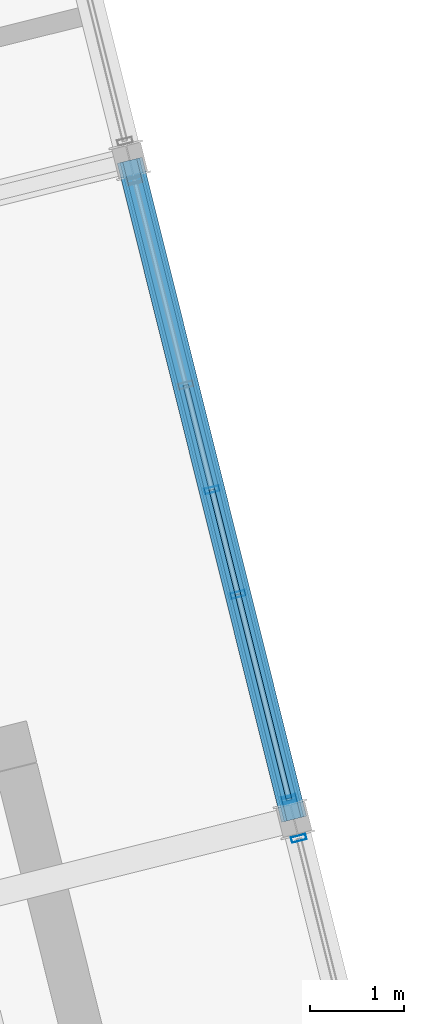
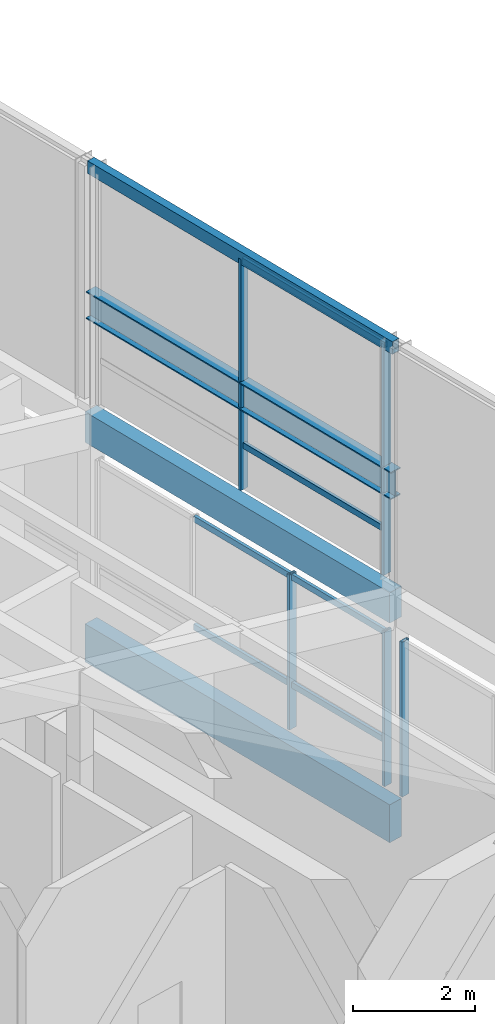
# One storey, part 19 of 31: 11 members, 4 beams, 3 elements without a shape of their own.
"""IFC4 building model written with IfcOpenShell, lengths in metres."""

import ifcopenshell
import ifcopenshell.guid

model = None  # the IFC model being written
_history = None  # IfcOwnerHistory: only IFC2X3 demands one
_inside = {}  # id of a spatial element -> (the spatial element, [elements in it])
_under = {}  # id of a project, library or spatial element -> (it, [spatial elements below it])
_declared = {}  # id of a project -> (the project, [libraries it declares])
_typed = {}  # id of a type object -> (the type object, [elements of that type])
_made_of = {}  # id of a material, layer set ... -> (it, [elements and type objects made of it])


def new_model(schema):
    """Start an empty IFC model of exactly this schema.

    Asked for "IFC4X3", IfcOpenShell would pick the latest addendum, in which some entities
    have other attributes; the version numbers below select the first issue.
    IFC2X3 requires an IfcOwnerHistory on every rooted entity: one is made here for all.
    """
    global model, _history
    if schema == "IFC4X3":
        model = ifcopenshell.file(schema_version=(4, 3, 0, 0))
    else:
        model = ifcopenshell.file(schema=schema)
    _inside.clear()
    _under.clear()
    _declared.clear()
    _typed.clear()
    _made_of.clear()
    _history = None
    if model.schema == "IFC2X3":
        org = make("IfcOrganization", Name="unknown")
        user = make(
            "IfcPersonAndOrganization",
            ThePerson=make("IfcPerson", FamilyName="unknown"),
            TheOrganization=org,
        )
        app = make(
            "IfcApplication",
            ApplicationDeveloper=org,
            Version="unknown",
            ApplicationFullName="unknown",
            ApplicationIdentifier="unknown",
        )
        _history = make(
            "IfcOwnerHistory",
            OwningUser=user,
            OwningApplication=app,
            ChangeAction="ADDED",
            CreationDate=0,
        )
    return model


def make(cls, **values):
    """One entity of the class cls with the attributes given. An attribute that is None is left unset."""
    return model.create_entity(
        cls, **{name: value for name, value in values.items() if value is not None}
    )


def rooted(cls, **values):
    """An entity with a GlobalId (a new one), such as an element, a storey or a relation."""
    return make(cls, GlobalId=ifcopenshell.guid.new(), OwnerHistory=_history, **values)


def si_unit(unit_type, name, prefix=None):
    """IfcSIUnit, for example si_unit("LENGTHUNIT", "METRE", prefix="MILLI")."""
    return make("IfcSIUnit", UnitType=unit_type, Prefix=prefix, Name=name)


def assignment(units):
    """IfcUnitAssignment: the units of a project."""
    return None if units is None else make("IfcUnitAssignment", Units=units)


def point(xyz):
    """IfcCartesianPoint."""
    return None if xyz is None else make("IfcCartesianPoint", Coordinates=xyz)


def direction(xyz):
    """IfcDirection."""
    return None if xyz is None else make("IfcDirection", DirectionRatios=xyz)


def frame(location, z_axis=None, x_axis=None):
    """IfcAxis2Placement3D, a coordinate frame: its origin and axes. An axis left out is left unset."""
    return make(
        "IfcAxis2Placement3D",
        Location=point(location),
        Axis=direction(z_axis),
        RefDirection=direction(x_axis),
    )


def frame_2d(location, x_axis=None):
    """IfcAxis2Placement2D, a coordinate frame in the plane: its origin and x axis."""
    return make(
        "IfcAxis2Placement2D", Location=point(location), RefDirection=direction(x_axis)
    )


def origin():
    """The frame at (0, 0, 0) with its axes left unset."""
    return frame((0.0, 0.0, 0.0))


def origin_2d():
    """The frame at (0, 0) in the plane with its x axis left unset."""
    return frame_2d((0.0, 0.0))


def place(relative_to, where):
    """IfcLocalPlacement: puts the frame where relative to a parent placement (None: the world)."""
    return make(
        "IfcLocalPlacement", PlacementRelTo=relative_to, RelativePlacement=where
    )


def context(
    kind, dimensions, precision=None, world=None, true_north=None, identifier=None
):
    """IfcGeometricRepresentationContext, for example the 3D "Model" context."""
    return make(
        "IfcGeometricRepresentationContext",
        ContextIdentifier=identifier,
        ContextType=kind,
        CoordinateSpaceDimension=dimensions,
        Precision=precision,
        WorldCoordinateSystem=world,
        TrueNorth=true_north,
    )


def subcontext(parent, identifier, kind, view, scale=None):
    """IfcGeometricRepresentationSubContext, for example "Body" below "Model"."""
    return make(
        "IfcGeometricRepresentationSubContext",
        ContextIdentifier=identifier,
        ContextType=kind,
        ParentContext=parent,
        TargetScale=scale,
        TargetView=view,
    )


def project(units=None, contexts=None):
    """IfcProject with its units and contexts."""
    return rooted(
        "IfcProject",
        Name="project",
        RepresentationContexts=contexts,
        UnitsInContext=assignment(units),
    )


def spatial(cls, under=None, at=None, **own):
    """A site, building, storey or space (cls), placed at a placement, below another one or the project."""
    s = rooted(cls, ObjectPlacement=at, **own)
    if under is not None:
        _under.setdefault(under.id(), (under, []))[1].append(s)
    return s


def profile(cls, at=None, kind="AREA", **sizes):
    """A parametric profile (cls). Its sizes go by their IFC names, for example OverallWidth=200.0."""
    return make(cls, ProfileType=kind, Position=at, **sizes)


def rectangle(**sizes):
    """IfcRectangleProfileDef."""
    return profile("IfcRectangleProfileDef", **sizes)


def hollow_rectangle(**sizes):
    """IfcRectangleHollowProfileDef."""
    return profile("IfcRectangleHollowProfileDef", **sizes)


def i_section(**sizes):
    """IfcIShapeProfileDef."""
    return profile("IfcIShapeProfileDef", **sizes)


def extrude(swept, where, along, depth):
    """IfcExtrudedAreaSolid: the profile swept, set in the frame where, extruded along a direction by depth."""
    return make(
        "IfcExtrudedAreaSolid",
        SweptArea=swept,
        Position=where,
        ExtrudedDirection=direction(along),
        Depth=depth,
    )


def shape(context_of_items, identifier, shape_type, items):
    """IfcShapeRepresentation: the items that make up one representation, for example the "Body"."""
    return make(
        "IfcShapeRepresentation",
        ContextOfItems=context_of_items,
        RepresentationIdentifier=identifier,
        RepresentationType=shape_type,
        Items=items,
    )


def material(Name=None, Category=None):
    """IfcMaterial."""
    return make("IfcMaterial", Name=Name, Category=Category)


def layer(
    of_material, thickness, ventilated=None, Name=None, Category=None, Priority=None
):
    """IfcMaterialLayer: one layer of a wall or slab, of a material (None: an air gap)."""
    return make(
        "IfcMaterialLayer",
        Material=of_material,
        LayerThickness=thickness,
        IsVentilated=ventilated,
        Name=Name,
        Category=Category,
        Priority=Priority,
    )


def layer_set(layers, Name=None):
    """IfcMaterialLayerSet."""
    return make("IfcMaterialLayerSet", MaterialLayers=layers, LayerSetName=Name)


def material_profile(
    of_material, cross_section, Name=None, Category=None, Priority=None
):
    """IfcMaterialProfile: a cross section and its material."""
    return make(
        "IfcMaterialProfile",
        Name=Name,
        Material=of_material,
        Profile=cross_section,
        Priority=Priority,
        Category=Category,
    )


def profile_set(profiles, Name=None, composite=None):
    """IfcMaterialProfileSet."""
    return make(
        "IfcMaterialProfileSet",
        Name=Name,
        MaterialProfiles=profiles,
        CompositeProfile=composite,
    )


def made_of(thing, what):
    """Note that an element or type object is made of a material, layer set ...; save() writes the relation."""
    if what is not None:
        _made_of.setdefault(what.id(), (what, []))[1].append(thing)
    return thing


def type_object(cls, material=None, **own):
    """A type object (cls), such as IfcWallType, which elements share."""
    return made_of(rooted(cls, **own), material)


def element(
    cls,
    number,
    at=None,
    inside=None,
    cuts=None,
    type_object=None,
    material=None,
    context=None,
    identifier="Body",
    shape_type=None,
    held_by="IfcProductDefinitionShape",
    body=None,
    shapes=None,
    **own,
):
    """One element of the class cls, such as IfcWall. Its Tag is "e" and its number.

    at: its placement. inside: the storey or other place that contains it. cuts: it is an
    opening in that element (IfcRelVoidsElement). A single representation is given by context,
    identifier, shape_type and body (its items); several are given by shapes. held_by: the class
    of the entity that holds the representations. save() writes the other relations.
    """
    e = rooted(cls, Tag="e%d" % number, ObjectPlacement=at, **own)
    if body is not None:
        shapes = [shape(context, identifier, shape_type, body)]
    if shapes is not None:
        e.Representation = make(held_by, Representations=shapes)
    if inside is not None:
        _inside.setdefault(inside.id(), (inside, []))[1].append(e)
    if cuts is not None:
        rooted(
            "IfcRelVoidsElement", RelatingBuildingElement=cuts, RelatedOpeningElement=e
        )
    if type_object is not None:
        _typed.setdefault(type_object.id(), (type_object, []))[1].append(e)
    return made_of(e, material)


def aggregate(whole, parts):
    """IfcRelAggregates: a whole, such as a stair, and the parts it consists of."""
    return rooted("IfcRelAggregates", RelatingObject=whole, RelatedObjects=parts)


def save(model, path):
    """Write the relations noted so far, then the file.

    IfcRelAggregates (storeys below a building ...), IfcRelContainedInSpatialStructure (elements
    in a storey), IfcRelDefinesByType, IfcRelAssociatesMaterial and IfcRelDeclares: one each for
    every whole, place, type object, material and project.
    """
    for whole, parts in _under.values():
        aggregate(whole, parts)
    for where, things in _inside.values():
        rooted(
            "IfcRelContainedInSpatialStructure",
            RelatedElements=things,
            RelatingStructure=where,
        )
    for kind, things in _typed.values():
        rooted("IfcRelDefinesByType", RelatedObjects=things, RelatingType=kind)
    for what, things in _made_of.values():
        rooted("IfcRelAssociatesMaterial", RelatedObjects=things, RelatingMaterial=what)
    for by, libraries in _declared.values():
        rooted("IfcRelDeclares", RelatingContext=by, RelatedDefinitions=libraries)
    model.write(path)


model = new_model("IFC4")

# Units and contexts
model_context = context("Model", 3, precision=1e-05, world=origin(), true_north=direction((0.0, 1.0)))
body_context = subcontext(model_context, "Body", "Model", "MODEL_VIEW")
ifc_project = project(units=[si_unit("LENGTHUNIT", "METRE"), si_unit("AREAUNIT", "SQUARE_METRE"), si_unit("VOLUMEUNIT", "CUBIC_METRE"), si_unit("PLANEANGLEUNIT", "RADIAN"), si_unit("MASSUNIT", "GRAM", prefix="KILO")], contexts=[model_context])

# Site, building, storey
site_placement = place(None, origin())
site = spatial("IfcSite", under=ifc_project, at=site_placement, CompositionType="ELEMENT")
building_placement = place(site_placement, origin())
building = spatial("IfcBuilding", under=site, at=building_placement, Name="Meriwether Solvik Hall", CompositionType="ELEMENT")
storey_placement = place(building_placement, frame((0.0, 0.0, 61.199951171875)))
storey = spatial("IfcBuildingStorey", under=building, at=storey_placement, Name="L15", CompositionType="ELEMENT", Elevation=61.199951171875)

# Beams
ifc_material_1 = material(Name="Glulam Douglas-Fir 24F-V8 GL28h", Category="wood")
ifc_material_profile_1 = material_profile(ifc_material_1, rectangle(XDim=0.27294921875, YDim=0.610107421875, at=origin_2d()), Name="GLB-273X610")
ifc_profile_set_1 = profile_set([ifc_material_profile_1], Name="Glulam Douglas-Fir 24F-V8 GL28h")
beam_type_1 = type_object("IfcBeamType", Name="BM-GL-273X610", PredefinedType="SPANDREL", material=ifc_profile_set_1)
beam_1_placement = place(storey_placement, frame((93.593994140625, 61.654296875, 3.698974609375), z_axis=(-0.241905269381, 0.970299871507, 0.0), x_axis=(-0.970299871507, -0.241905269381, 0.0)))
element("IfcBeam", 1, at=beam_1_placement, inside=storey, type_object=beam_type_1, Name="Roof Tie Beam T5:TC-TD", PredefinedType="SPANDREL", context=body_context, shape_type="SweptSolid", body=[
    extrude(rectangle(XDim=0.27294921875, YDim=0.610107421875, at=origin_2d()), origin(), (0.0, 0.0, 1.0), 7.199951171875),
])
ifc_material_2 = material(Name="Glulam Douglas-Fir 24F-V8 GL28h", Category="wood")
ifc_material_profile_2 = material_profile(ifc_material_2, rectangle(XDim=0.27294921875, YDim=0.760009765625, at=origin_2d()), Name="GLB-273X760")
ifc_profile_set_2 = profile_set([ifc_material_profile_2], Name="Glulam Douglas-Fir 24F-V8 GL28h")
beam_type_2 = type_object("IfcBeamType", Name="BM-GL-273X760", PredefinedType="BEAM", material=ifc_profile_set_2)
beam_2_placement = place(storey_placement, frame((93.593994140625, 61.654296875, -0.625), z_axis=(-0.241905269381, 0.970299871507, 0.0), x_axis=(-0.970299871507, -0.241905269381, 0.0)))
element("IfcBeam", 2, at=beam_2_placement, inside=storey, type_object=beam_type_2, Name="Tower Girder T5:TC-TD (L15)", PredefinedType="BEAM", context=body_context, shape_type="SweptSolid", body=[
    extrude(rectangle(XDim=0.27294921875, YDim=0.760009765625, at=origin_2d()), origin(), (0.0, 0.0, 1.0), 7.199951171875),
])
ifc_material_3 = material(Name="Steel A500 Grade C", Category="steel")
ifc_material_profile_3 = material_profile(ifc_material_3, hollow_rectangle(XDim=0.152099609375, YDim=0.25390625, WallThickness=0.009521484375, at=origin_2d()), Name="HSS254X152X9.5")
ifc_profile_set_3 = profile_set([ifc_material_profile_3], Name="Steel A500 Grade C")
beam_type_3 = type_object("IfcBeamType", Name="BM-STL-HSS254", PredefinedType="SPANDREL", material=ifc_profile_set_3)
beam_3_placement = place(storey_placement, frame((93.593994140625, 61.654296875, 8.873046875), z_axis=(-0.241905269381, 0.970299871507, 0.0), x_axis=(-0.970299871507, -0.241905269381, 0.0)))
element("IfcBeam", 3, at=beam_3_placement, inside=storey, type_object=beam_type_3, Name="Crown Cap Ring Beam T5TC-T5TD", PredefinedType="SPANDREL", context=body_context, shape_type="SweptSolid", body=[
    extrude(hollow_rectangle(XDim=0.152099609375, YDim=0.25390625, WallThickness=0.009521484375, at=origin_2d()), origin(), (0.0, 0.0, 1.0), 7.199951171875),
])
ifc_material_4 = material(Name="Steel A992 Grade 50", Category="steel")
ifc_material_profile_4 = material_profile(ifc_material_4, i_section(OverallWidth=0.214111328125, OverallDepth=0.549072265625, WebThickness=0.0146484375, FlangeThickness=0.023681640625, at=origin_2d()), Name="W21X93")
ifc_profile_set_4 = profile_set([ifc_material_profile_4], Name="Steel A992 Grade 50")
beam_type_4 = type_object("IfcBeamType", Name="BM-STL-W21X93", PredefinedType="SPANDREL", material=ifc_profile_set_4)
beam_4_placement = place(storey_placement, frame((93.593994140625, 61.654296875, 6.12548828125), z_axis=(-0.241905269381, 0.970299871507, 0.0), x_axis=(-0.970299871507, -0.241905269381, 0.0)))
element("IfcBeam", 4, at=beam_4_placement, inside=storey, type_object=beam_type_4, Name="Crown Wind Girt Beam T5TC-T5TD", PredefinedType="SPANDREL", context=body_context, shape_type="SweptSolid", body=[
    extrude(i_section(OverallWidth=0.214111328125, OverallDepth=0.549072265625, WebThickness=0.0146484375, FlangeThickness=0.023681640625, at=origin_2d()), origin(), (0.0, 0.0, 1.0), 7.199951171875),
])

# Curtain wall, member
ifc_material_5 = material(Name="Thermally Broken Anodised Aluminium 6063-T6 and Low-E Glass", Category="aluminium")
ifc_layer_1 = layer(ifc_material_5, 0.179931640625)
ifc_layer_set_1 = layer_set([ifc_layer_1], Name="Thermally Broken Anodised Aluminium 6063-T6 and Low-E Glass")
curtain_wall_type_1 = type_object("IfcCurtainWallType", Name="CW-UNIT-A", PredefinedType="USERDEFINED", material=ifc_layer_set_1)
curtain_wall_1_placement = place(storey_placement, origin())
curtain_wall_1 = element("IfcCurtainWall", 5, at=curtain_wall_1_placement, inside=storey, type_object=curtain_wall_type_1, Name="Curtain Wall E1_B1 (L15)", ObjectType="UNITISED CURTAIN WALL", PredefinedType="USERDEFINED")
ifc_material_6 = material(Name="Anodised Aluminium 6063-T6", Category="aluminium")
ifc_material_profile_5 = material_profile(ifc_material_6, hollow_rectangle(XDim=0.06005859375, YDim=0.159912109375, WallThickness=0.00390625, at=origin_2d()), Name="CWM-60X160")
ifc_profile_set_5 = profile_set([ifc_material_profile_5], Name="Anodised Aluminium 6063-T6")
member_type_1 = type_object("IfcMemberType", Name="CW-MUL-60X160", PredefinedType="MULLION", material=ifc_profile_set_5)
member_1_placement = place(storey_placement, frame((93.644287109375, 61.452880859375, 0.0), z_axis=(0.0, 0.0, 1.0), x_axis=(0.241921925524, -0.970295718815, 0.0)))
member_1 = element("IfcMember", 6, at=member_1_placement, type_object=member_type_1, Name="Curtain Wall Mullion 1", PredefinedType="MULLION", context=body_context, shape_type="SweptSolid", body=[
    extrude(hollow_rectangle(XDim=0.06005859375, YDim=0.159912109375, WallThickness=0.00390625, at=origin_2d()), origin(), (0.0, 0.0, 1.0), 3.10205078125),
])
aggregate(curtain_wall_1, [member_1])

# Curtain wall, members
ifc_material_7 = material(Name="Thermally Broken Anodised Aluminium 6063-T6 and Low-E Glass", Category="aluminium")
ifc_layer_2 = layer(ifc_material_7, 0.179931640625)
ifc_layer_set_2 = layer_set([ifc_layer_2], Name="Thermally Broken Anodised Aluminium 6063-T6 and Low-E Glass")
curtain_wall_type_2 = type_object("IfcCurtainWallType", Name="CW-UNIT-B", PredefinedType="USERDEFINED", material=ifc_layer_set_2)
curtain_wall_2_placement = place(storey_placement, origin())
curtain_wall_2 = element("IfcCurtainWall", 7, at=curtain_wall_2_placement, inside=storey, type_object=curtain_wall_type_2, Name="Curtain Wall E1_B2 (L15)", ObjectType="UNITISED CURTAIN WALL", PredefinedType="USERDEFINED")
member_2_placement = place(storey_placement, frame((92.999755859375, 64.037841796875, 0.0), z_axis=(0.0, 0.0, 1.0), x_axis=(0.241921877598, -0.970295730764, 0.0)))
member_2 = element("IfcMember", 8, at=member_2_placement, type_object=member_type_1, Name="Curtain Wall Mullion 3", PredefinedType="MULLION", context=body_context, shape_type="SweptSolid", body=[
    extrude(hollow_rectangle(XDim=0.06005859375, YDim=0.159912109375, WallThickness=0.00390625, at=origin_2d()), origin(), (0.0, 0.0, 1.0), 3.10205078125),
])
member_3_placement = place(storey_placement, frame((93.5439453125, 61.85546875, 0.0), z_axis=(0.0, 0.0, 1.0), x_axis=(0.241921877598, -0.970295730764, 0.0)))
member_3 = element("IfcMember", 9, at=member_3_placement, type_object=member_type_1, Name="Curtain Wall Mullion 4", PredefinedType="MULLION", context=body_context, shape_type="SweptSolid", body=[
    extrude(hollow_rectangle(XDim=0.06005859375, YDim=0.159912109375, WallThickness=0.00390625, at=origin_2d()), origin(), (0.0, 0.0, 1.0), 3.10205078125),
])

ifc_material_8 = material(Name="Thermally Broken Anodised Aluminium 6063-T6 and Low-E Glass", Category="aluminium")
ifc_layer_3 = layer(ifc_material_8, 0.179931640625)
ifc_layer_set_3 = layer_set([ifc_layer_3], Name="Thermally Broken Anodised Aluminium 6063-T6 and Low-E Glass")
curtain_wall_type_3 = type_object("IfcCurtainWallType", Name="CW-CROWN-GL", PredefinedType="USERDEFINED", material=ifc_layer_set_3)
curtain_wall_3_placement = place(storey_placement, origin())
curtain_wall_3 = element("IfcCurtainWall", 10, at=curtain_wall_3_placement, inside=storey, type_object=curtain_wall_type_3, Name="Curtain Wall crown_E_3 (L15)", ObjectType="UNITISED CURTAIN WALL", PredefinedType="USERDEFINED")
member_4_placement = place(storey_placement, frame((93.5390625, 61.87548828125, 4.219970703125), z_axis=(0.0, 0.0, 1.0), x_axis=(-0.241922500343, 0.970295575496, 0.0)))
member_4 = element("IfcMember", 11, at=member_4_placement, type_object=member_type_1, Name="Curtain Wall Mullion 1", PredefinedType="MULLION", context=body_context, shape_type="SweptSolid", body=[
    extrude(hollow_rectangle(XDim=0.06005859375, YDim=0.159912109375, WallThickness=0.00390625, at=origin_2d()), origin(), (0.0, 0.0, 1.0), 4.630126953125),
])
member_5_placement = place(storey_placement, frame((92.72314453125, 65.147216796875, 4.219970703125), z_axis=(0.0, 0.0, 1.0), x_axis=(-0.241922500343, 0.970295575496, 0.0)))
member_5 = element("IfcMember", 12, at=member_5_placement, type_object=member_type_1, Name="Curtain Wall Mullion 2", PredefinedType="MULLION", context=body_context, shape_type="SweptSolid", body=[
    extrude(hollow_rectangle(XDim=0.06005859375, YDim=0.159912109375, WallThickness=0.00390625, at=origin_2d()), origin(), (0.0, 0.0, 1.0), 4.630126953125),
])

# Member
ifc_material_9 = material(Name="Anodised Aluminium 6063-T6", Category="aluminium")
ifc_material_profile_6 = material_profile(ifc_material_9, hollow_rectangle(XDim=0.06005859375, YDim=0.1201171875, WallThickness=0.00390625, at=origin_2d()), Name="CWT-60X120")
ifc_profile_set_6 = profile_set([ifc_material_profile_6], Name="Anodised Aluminium 6063-T6")
member_type_2 = type_object("IfcMemberType", Name="CW-TRN-60X120", PredefinedType="USERDEFINED", material=ifc_profile_set_6)
member_6_placement = place(storey_placement, frame((92.446533203125, 66.2568359375, 0.880126953125), z_axis=(0.241907601634, -0.97029929005, 0.0), x_axis=(0.97029929005, 0.241907601634, 0.0)))
member_6 = element("IfcMember", 13, at=member_6_placement, type_object=member_type_2, Name="Curtain Wall Transom 2-sill", ObjectType="TRANSOM", PredefinedType="USERDEFINED", context=body_context, shape_type="SweptSolid", body=[
    extrude(hollow_rectangle(XDim=0.06005859375, YDim=0.1201171875, WallThickness=0.00390625, at=origin_2d()), origin(), (0.0, 0.0, 1.0), 2.286865234375),
])

member_7_placement = place(storey_placement, frame((92.446533203125, 66.2568359375, 3.0419921875), z_axis=(0.241907601634, -0.97029929005, 0.0), x_axis=(0.97029929005, 0.241907601634, 0.0)))
member_7 = element("IfcMember", 14, at=member_7_placement, type_object=member_type_2, Name="Curtain Wall Transom 2-head", ObjectType="TRANSOM", PredefinedType="USERDEFINED", context=body_context, shape_type="SweptSolid", body=[
    extrude(hollow_rectangle(XDim=0.06005859375, YDim=0.1201171875, WallThickness=0.00390625, at=origin_2d()), origin(), (0.0, 0.0, 1.0), 2.286865234375),
])

member_8_placement = place(storey_placement, frame((92.999755859375, 64.037841796875, 0.880126953125), z_axis=(0.241948157292, -0.970289178123, 0.0), x_axis=(0.970289178123, 0.241948157292, 0.0)))
member_8 = element("IfcMember", 15, at=member_8_placement, type_object=member_type_2, Name="Curtain Wall Transom 3-sill", ObjectType="TRANSOM", PredefinedType="USERDEFINED", context=body_context, shape_type="SweptSolid", body=[
    extrude(hollow_rectangle(XDim=0.06005859375, YDim=0.1201171875, WallThickness=0.00390625, at=origin_2d()), origin(), (0.0, 0.0, 1.0), 2.249267578125),
])

member_9_placement = place(storey_placement, frame((92.999755859375, 64.037841796875, 3.0419921875), z_axis=(0.241948157292, -0.970289178123, 0.0), x_axis=(0.970289178123, 0.241948157292, 0.0)))
member_9 = element("IfcMember", 16, at=member_9_placement, type_object=member_type_2, Name="Curtain Wall Transom 3-head", ObjectType="TRANSOM", PredefinedType="USERDEFINED", context=body_context, shape_type="SweptSolid", body=[
    extrude(hollow_rectangle(XDim=0.06005859375, YDim=0.1201171875, WallThickness=0.00390625, at=origin_2d()), origin(), (0.0, 0.0, 1.0), 2.249267578125),
])

aggregate(curtain_wall_2, [member_2, member_3, member_6, member_7, member_8, member_9])

member_10_placement = place(storey_placement, frame((93.5390625, 61.87548828125, 5.10009765625), z_axis=(-0.241973390355, 0.97028288574, 0.0), x_axis=(-0.97028288574, -0.241973390355, 0.0)))
member_10 = element("IfcMember", 17, at=member_10_placement, type_object=member_type_2, Name="Curtain Wall Transom 1-sill", ObjectType="TRANSOM", PredefinedType="USERDEFINED", context=body_context, shape_type="SweptSolid", body=[
    extrude(hollow_rectangle(XDim=0.06005859375, YDim=0.1201171875, WallThickness=0.00390625, at=origin_2d()), origin(), (0.0, 0.0, 1.0), 3.371826171875),
])

member_11_placement = place(storey_placement, frame((93.5390625, 61.87548828125, 8.7900390625), z_axis=(-0.241973390355, 0.97028288574, 0.0), x_axis=(-0.97028288574, -0.241973390355, 0.0)))
member_11 = element("IfcMember", 18, at=member_11_placement, type_object=member_type_2, Name="Curtain Wall Transom 1-head", ObjectType="TRANSOM", PredefinedType="USERDEFINED", context=body_context, shape_type="SweptSolid", body=[
    extrude(hollow_rectangle(XDim=0.06005859375, YDim=0.1201171875, WallThickness=0.00390625, at=origin_2d()), origin(), (0.0, 0.0, 1.0), 3.371826171875),
])

aggregate(curtain_wall_3, [member_4, member_5, member_10, member_11])

save(model, "model.ifc")
